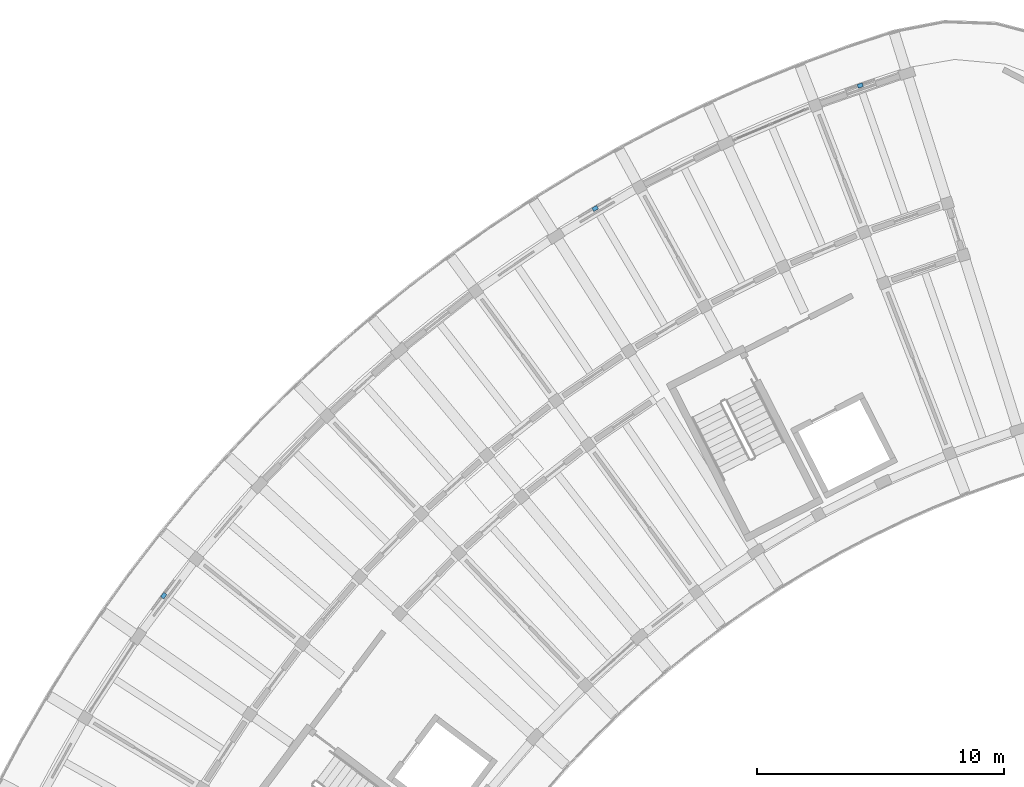
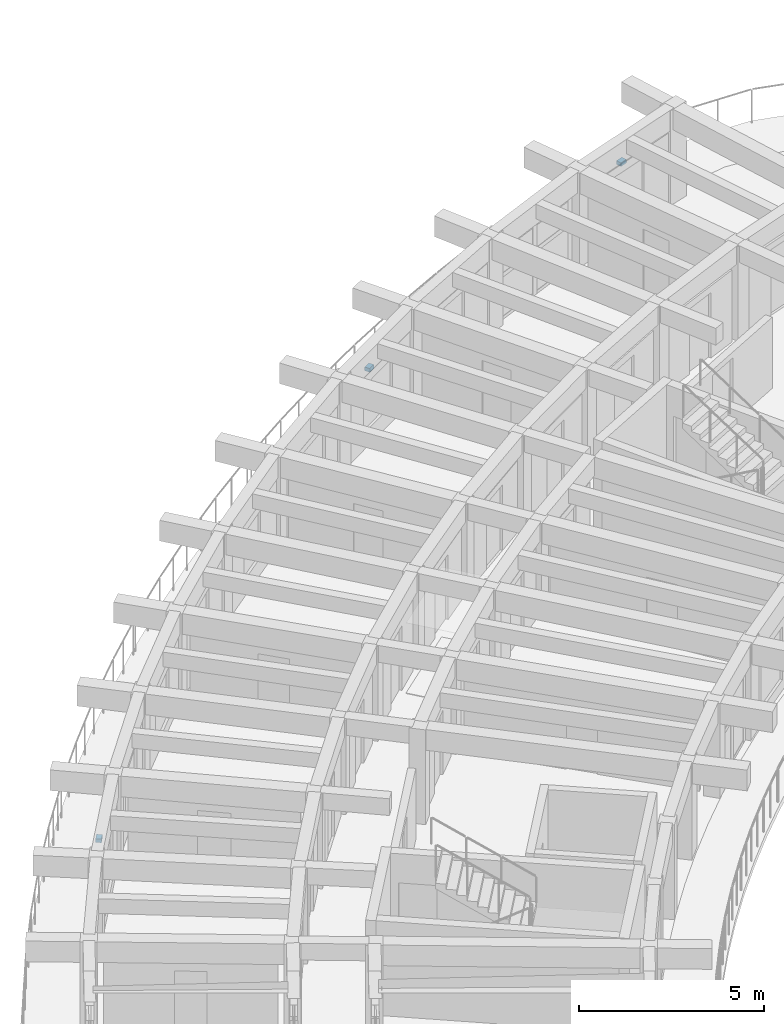
# One storey, part 14 of 19: 3 discrete accessories.
"""IFC4 building model written with IfcOpenShell, lengths in metres."""

from ifc_helpers import new_model, si_unit, direction, frame, origin, origin_2d, place, context, subcontext, project, spatial, rectangle, extrude, material, type_object, element, save


model = new_model("IFC4")

# Units and contexts
model_context = context("Model", 3, precision=1e-05, world=origin(), true_north=direction((0.0, 1.0)))
body_context = subcontext(model_context, "Body", "Model", "MODEL_VIEW")
ifc_project = project(units=[si_unit("LENGTHUNIT", "METRE"), si_unit("AREAUNIT", "SQUARE_METRE"), si_unit("VOLUMEUNIT", "CUBIC_METRE"), si_unit("PLANEANGLEUNIT", "RADIAN"), si_unit("MASSUNIT", "GRAM", prefix="KILO")], contexts=[model_context])

# Site, building, storey
site_placement = place(None, origin())
site = spatial("IfcSite", under=ifc_project, at=site_placement, CompositionType="ELEMENT")
building_placement = place(site_placement, origin())
building = spatial("IfcBuilding", under=site, at=building_placement, Name="Tanwirah Colonnade Gardens", CompositionType="ELEMENT")
storey_placement = place(building_placement, frame((0.0, 0.0, 45.800048828125)))
storey = spatial("IfcBuildingStorey", under=building, at=storey_placement, Name="L13", CompositionType="ELEMENT", Elevation=45.800048828125)

# Discrete accessories
ifc_material = material(Name="Steel S355", Category="steel")
discrete_accessory_type = type_object("IfcDiscreteAccessoryType", Name="BRK-SS1", PredefinedType="BRACKET", material=ifc_material)
for number, where, z_axis, x_axis, name in (
    (1, (45.367919921875, 116.55859375, 2.0849609375), (0.0, 0.0, 1.0), (-0.944248513297, -0.329233572311, 0.0), "Solar screen support bracket A-L13-03"),
    (2, (34.64501953125, 111.583740234375, 2.0849609375), (0.0, 0.0, 1.0), (-0.861136175856, -0.50837435678, 0.0), "Solar screen support bracket A-L13-06"),
    (3, (17.18798828125, 95.917236328125, 2.199951171875), (0.0, 0.0, 1.0), (-0.598711833846, -0.800964506088, 0.0), "Solar screen support bracket A-L13-12"),
):
    element("IfcDiscreteAccessory", number, at=place(storey_placement, frame(where, z_axis=z_axis, x_axis=x_axis)), inside=storey, type_object=discrete_accessory_type, Name=name, PredefinedType="BRACKET", context=body_context, shape_type="SweptSolid", body=[
        extrude(rectangle(XDim=0.219970703125, YDim=0.159912109375, at=origin_2d()), origin(), (0.0, 0.0, 1.0), 0.1201171875),
    ])

save(model, "model.ifc")
